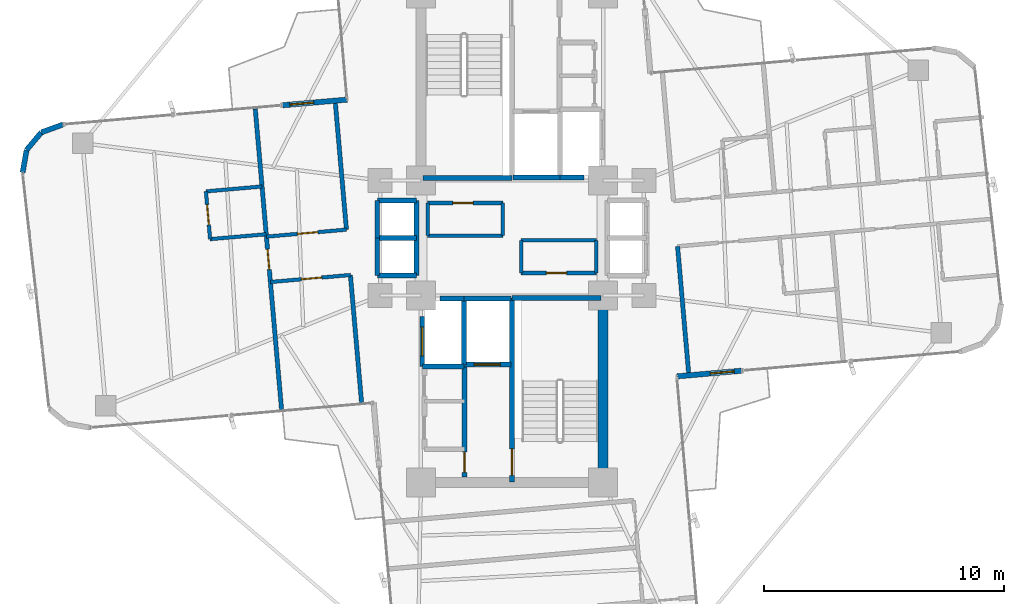
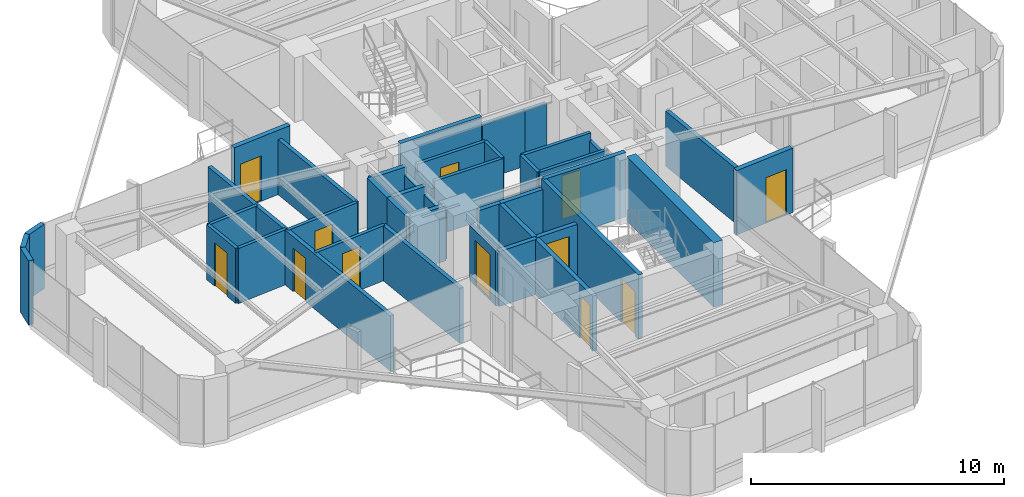
# One storey, part 21 of 24: 41 walls, 12 doors, 12 openings.
"""IFC4 building model written with IfcOpenShell, lengths in metres."""

from ifc_helpers import new_model, si_unit, direction, frame, frame_2d, origin, origin_2d, place, context, subcontext, project, spatial, rectangle, extrude, source, transform, mapped, material, layer, layer_set, type_object, element, fill, save


model = new_model("IFC4")

# Units and contexts
model_context = context("Model", 3, precision=1e-05, world=origin(), true_north=direction((0.0, 1.0)))
body_context = subcontext(model_context, "Body", "Model", "MODEL_VIEW")
ifc_project = project(units=[si_unit("LENGTHUNIT", "METRE"), si_unit("AREAUNIT", "SQUARE_METRE"), si_unit("VOLUMEUNIT", "CUBIC_METRE"), si_unit("PLANEANGLEUNIT", "RADIAN"), si_unit("MASSUNIT", "GRAM", prefix="KILO")], contexts=[model_context])

# Site, building, storey
site_placement = place(None, origin())
site = spatial("IfcSite", under=ifc_project, at=site_placement, CompositionType="ELEMENT")
building_placement = place(site_placement, origin())
building = spatial("IfcBuilding", under=site, at=building_placement, Name="Sahyath Konkavel Grand Hotel", CompositionType="ELEMENT")
storey_placement = place(building_placement, frame((0.0, 0.0, 191.949951171875)))
storey = spatial("IfcBuildingStorey", under=building, at=storey_placement, Name="L53", CompositionType="ELEMENT", Elevation=191.949951171875)

# Wall
ifc_material_1 = material(Name="Concrete C50/60", Category="concrete")
ifc_layer_1 = layer(ifc_material_1, 0.419921875)
ifc_layer_set_1 = layer_set([ifc_layer_1], Name="Concrete C50/60")
wall_type_1 = type_object("IfcWallType", Name="CWALL-420", PredefinedType="SHEAR", material=ifc_layer_set_1)
wall_1_placement = place(storey_placement, frame((3.800048828125, -9.75, 0.0), z_axis=(0.0, 0.0, 1.0), x_axis=(0.0, 1.0, 0.0)))
element("IfcWall", 1, at=wall_1_placement, inside=storey, type_object=wall_type_1, Name="L53 South Core Shear Wall E", PredefinedType="SHEAR", context=body_context, shape_type="SweptSolid", body=[
    extrude(rectangle(XDim=6.89990234375, YDim=0.419921875, at=frame_2d((3.449951171875, 0.0))), origin(), (0.0, 0.0, 1.0), 3.110107421875),
])

# Wall, opening, door
ifc_material_2 = material(Name="Warm Buff Sandstone Insulated Concrete C40/50", Category="masonry")
ifc_layer_2 = layer(ifc_material_2, 0.219970703125)
ifc_layer_set_2 = layer_set([ifc_layer_2], Name="Warm Buff Sandstone Insulated Concrete C40/50")
wall_type_2 = type_object("IfcWallType", Name="WLL-BALC-THRESH", PredefinedType="STANDARD", material=ifc_layer_set_2)
wall_2_placement = place(storey_placement, frame((6.87939453125, -5.7724609375, 0.0), z_axis=(0.0, 0.0, 1.0), x_axis=(0.996193619346, 0.087168071984, 0.0)))
wall_2 = element("IfcWall", 2, at=wall_2_placement, inside=storey, type_object=wall_type_2, Name="L53 Winter-Garden Threshold Wall 0", PredefinedType="STANDARD", context=body_context, shape_type="SweptSolid", body=[
    extrude(rectangle(XDim=2.699951171875, YDim=0.219970703125, at=frame_2d((1.35009765625, 0.0))), origin(), (0.0, 0.0, 1.0), 3.110107421875),
])
opening_1_placement = place(wall_2_placement, frame((1.39990234375, 0.0, 0.0)))
opening_1 = element("IfcOpeningElement", 3, at=opening_1_placement, cuts=wall_2, Name="Opening D-TR1", PredefinedType="OPENING", context=body_context, shape_type="SweptSolid", body=[
    extrude(rectangle(XDim=1.0, YDim=2.199951171875, at=frame_2d((0.5, 1.10009765625))), frame((0.0, 0.1201171875, 0.0), z_axis=(0.0, -1.0, 0.0), x_axis=(1.0, 0.0, 0.0)), (0.0, 0.0, 1.0), 0.239990234375),
])
ifc_material_3 = material(Name="Anodised Bronze Aluminium & Low-E Glazing", Category="aluminium")
door_type_1 = type_object("IfcDoorType", Name="DR-TERRACE-1000", OperationType="NOTDEFINED", PredefinedType="DOOR", material=ifc_material_3)
shared_shape_1 = source(origin(), body_context, "Body", "SweptSolid", [
    extrude(rectangle(XDim=1.0, YDim=0.050048828125, at=origin_2d()), origin(), (0.0, 0.0, 1.0), 2.199951171875),
])
door_1_placement = place(opening_1_placement, frame((0.5, 0.0, 0.0)))
door_1 = element("IfcDoor", 4, at=door_1_placement, inside=storey, type_object=door_type_1, Name="L53 Winter-Garden Terrace Door 0", OperationType="SINGLE_SWING_LEFT", OverallHeight=2.199951171875, OverallWidth=1.0, PredefinedType="DOOR", context=body_context, shape_type="MappedRepresentation", body=[
    mapped(shared_shape_1, transform((0.0, 0.0, 0.0), scale=1.0)),
])
fill(opening_1, door_1)

wall_3_placement = place(storey_placement, frame((-6.87939453125, 5.7724609375, 0.0), z_axis=(0.0, 0.0, 1.0), x_axis=(-0.996193619346, -0.087168071984, 0.0)))
wall_3 = element("IfcWall", 5, at=wall_3_placement, inside=storey, type_object=wall_type_2, Name="L53 Winter-Garden Threshold Wall 16", PredefinedType="STANDARD", context=body_context, shape_type="SweptSolid", body=[
    extrude(rectangle(XDim=2.699951171875, YDim=0.219970703125, at=frame_2d((1.35009765625, 0.0))), origin(), (0.0, 0.0, 1.0), 3.110107421875),
])
opening_2_placement = place(wall_3_placement, frame((1.39990234375, 0.0, 0.0)))
opening_2 = element("IfcOpeningElement", 6, at=opening_2_placement, cuts=wall_3, Name="Opening D-TR1", PredefinedType="OPENING", context=body_context, shape_type="SweptSolid", body=[
    extrude(rectangle(XDim=1.0, YDim=2.199951171875, at=frame_2d((0.5, 1.10009765625))), frame((0.0, 0.1201171875, 0.0), z_axis=(0.0, -1.0, 0.0), x_axis=(1.0, 0.0, 0.0)), (0.0, 0.0, 1.0), 0.239990234375),
])
door_2_placement = place(opening_2_placement, frame((0.5, 0.0, 0.0)))
door_2 = element("IfcDoor", 7, at=door_2_placement, inside=storey, type_object=door_type_1, Name="L53 Winter-Garden Terrace Door 16", OperationType="SINGLE_SWING_LEFT", OverallHeight=2.199951171875, OverallWidth=1.0, PredefinedType="DOOR", context=body_context, shape_type="MappedRepresentation", body=[
    mapped(shared_shape_1, transform((0.0, 0.0, 0.0), scale=1.0)),
])
fill(opening_2, door_2)

# Walls
wall_4_placement = place(storey_placement, frame((-18.73388671875, 4.735107421875, 0.0), z_axis=(0.0, 0.0, 1.0), x_axis=(-0.939741306239, -0.34188635151, 0.0)))
element("IfcWall", 8, at=wall_4_placement, inside=storey, type_object=wall_type_2, Name="L53 Rounded Corner Sandstone Pier 17", PredefinedType="STANDARD", context=body_context, shape_type="SweptSolid", body=[
    extrude(rectangle(XDim=0.95751953125, YDim=0.219970703125, at=frame_2d((0.478759765625, 0.0))), origin(), (0.0, 0.0, 1.0), 3.110107421875),
])
for number, where, z_axis, x_axis, name in (
    (9, (-19.6337890625, 4.40771484375, 0.0), (0.0, 0.0, 1.0), (-0.642863236823, -0.765980978054, 0.0), "L53 Rounded Corner Sandstone Pier 18"),
    (10, (-20.24951171875, 3.674072265625, 0.0), (0.0, 0.0, 1.0), (-0.173610811841, -0.984814340885, 0.0), "L53 Rounded Corner Sandstone Pier 19"),
):
    element("IfcWall", number, at=place(storey_placement, frame(where, z_axis=z_axis, x_axis=x_axis)), inside=storey, type_object=wall_type_2, Name=name, PredefinedType="STANDARD", context=body_context, shape_type="SweptSolid", body=[
        extrude(rectangle(XDim=0.957763671875, YDim=0.219970703125, at=frame_2d((0.47900390625, 0.0))), origin(), (0.0, 0.0, 1.0), 3.110107421875),
    ])
ifc_material_4 = material(Name="Concrete C40/50", Category="concrete")
ifc_layer_3 = layer(ifc_material_4, 0.199951171875)
ifc_layer_set_3 = layer_set([ifc_layer_3], Name="Concrete C40/50")
wall_type_3 = type_object("IfcWallType", Name="WLL-CORE-200", PredefinedType="SOLIDWALL", material=ifc_layer_set_3)
wall_5_placement = place(storey_placement, frame((-3.719970703125, 2.5, 0.0), z_axis=(0.0, 0.0, 1.0), x_axis=(1.0, 0.0, 0.0)))
element("IfcWall", 11, at=wall_5_placement, inside=storey, type_object=wall_type_3, Name="L53 Stair ST-1 Shaft Wall S", PredefinedType="SOLIDWALL", context=body_context, shape_type="SweptSolid", body=[
    extrude(rectangle(XDim=3.719970703125, YDim=0.199951171875, at=frame_2d((1.85986328125, 0.0))), origin(), (0.0, 0.0, 1.0), 3.110107421875),
])

# Wall, opening, door
wall_6_placement = place(storey_placement, frame((0.0, -10.179931640625, 0.0), z_axis=(0.0, 0.0, 1.0), x_axis=(0.0, 1.0, 0.0)))
wall_6 = element("IfcWall", 12, at=wall_6_placement, inside=storey, type_object=wall_type_3, Name="L53 Stair ST-2 Shaft Wall W", PredefinedType="SOLIDWALL", context=body_context, shape_type="SweptSolid", body=[
    extrude(rectangle(XDim=7.679931640625, YDim=0.199951171875, at=frame_2d((3.83984375, 0.0))), origin(), (0.0, 0.0, 1.0), 3.110107421875),
])
opening_3_placement = place(wall_6_placement, frame((0.280029296875, 0.0, 0.0)))
opening_3 = element("IfcOpeningElement", 13, at=opening_3_placement, cuts=wall_6, Name="Opening D-F12B", PredefinedType="OPENING", context=body_context, shape_type="SweptSolid", body=[
    extrude(rectangle(XDim=1.10009765625, YDim=2.14990234375, at=frame_2d((0.550048828125, 1.074951171875))), frame((0.0, 0.10986328125, 0.0), z_axis=(0.0, -1.0, 0.0), x_axis=(1.0, 0.0, 0.0)), (0.0, 0.0, 1.0), 0.219970703125),
])
ifc_material_5 = material(Name="Steel E350 Smokeproof Fire Door", Category="steel")
door_type_2 = type_object("IfcDoorType", Name="DR-FD120-1100", OperationType="NOTDEFINED", PredefinedType="DOOR", material=ifc_material_5)
shared_shape_2 = source(origin(), body_context, "Body", "SweptSolid", [
    extrude(rectangle(XDim=1.10009765625, YDim=0.050048828125, at=origin_2d()), origin(), (0.0, 0.0, 1.0), 2.14990234375),
])
door_3_placement = place(opening_3_placement, frame((0.550048828125, 0.0, 0.0)))
door_3 = element("IfcDoor", 14, at=door_3_placement, inside=storey, type_object=door_type_2, Name="L53 Stair ST-2 Fire Door", OperationType="SINGLE_SWING_RIGHT", OverallHeight=2.14990234375, OverallWidth=1.10009765625, PredefinedType="DOOR", context=body_context, shape_type="MappedRepresentation", body=[
    mapped(shared_shape_2, transform((0.0, 0.0, 0.0), scale=1.0)),
])
fill(opening_3, door_3)

# Wall
wall_7_placement = place(storey_placement, frame((0.0, -2.5, 0.0), z_axis=(0.0, 0.0, 1.0), x_axis=(1.0, 0.0, 0.0)))
element("IfcWall", 15, at=wall_7_placement, inside=storey, type_object=wall_type_3, Name="L53 Stair ST-2 Shaft Wall N", PredefinedType="SOLIDWALL", context=body_context, shape_type="SweptSolid", body=[
    extrude(rectangle(XDim=3.719970703125, YDim=0.199951171875, at=frame_2d((1.85986328125, 0.0))), origin(), (0.0, 0.0, 1.0), 3.110107421875),
])

# Wall, opening, door
wall_8_placement = place(storey_placement, frame((-1.97998046875, -9.97998046875, 0.0), z_axis=(0.0, 0.0, 1.0), x_axis=(0.0, 1.0, 0.0)))
wall_8 = element("IfcWall", 16, at=wall_8_placement, inside=storey, type_object=wall_type_3, Name="L53 South Firefighting Lobby Wall W", PredefinedType="SOLIDWALL", context=body_context, shape_type="SweptSolid", body=[
    extrude(rectangle(XDim=4.659912109375, YDim=0.199951171875, at=frame_2d((2.330078125, 0.0))), origin(), (0.0, 0.0, 1.0), 2.66015625),
])
opening_4_placement = place(wall_8_placement, frame((0.199951171875, 0.0, 0.0)))
opening_4 = element("IfcOpeningElement", 17, at=opening_4_placement, cuts=wall_8, Name="Opening D-F12D", PredefinedType="OPENING", context=body_context, shape_type="SweptSolid", body=[
    extrude(rectangle(XDim=0.85009765625, YDim=2.10009765625, at=frame_2d((0.425048828125, 1.050048828125))), frame((0.0, 0.10986328125, 0.0), z_axis=(0.0, -1.0, 0.0), x_axis=(1.0, 0.0, 0.0)), (0.0, 0.0, 1.0), 0.219970703125),
])
ifc_material_6 = material(Name="Steel E350 Core Fire Door", Category="steel")
door_type_3 = type_object("IfcDoorType", Name="DR-FD120-850", OperationType="NOTDEFINED", PredefinedType="DOOR", material=ifc_material_6)
shared_shape_3 = source(origin(), body_context, "Body", "SweptSolid", [
    extrude(rectangle(XDim=0.85009765625, YDim=0.050048828125, at=origin_2d()), origin(), (0.0, 0.0, 1.0), 2.10009765625),
])
door_4_placement = place(opening_4_placement, frame((0.425048828125, 0.0, 0.0)))
door_4 = element("IfcDoor", 18, at=door_4_placement, inside=storey, type_object=door_type_3, Name="L53 South Firefighting Lobby Door", OperationType="SINGLE_SWING_RIGHT", OverallHeight=2.10009765625, OverallWidth=0.85009765625, PredefinedType="DOOR", context=body_context, shape_type="MappedRepresentation", body=[
    mapped(shared_shape_3, transform((0.0, 0.0, 0.0), scale=1.0)),
])
fill(opening_4, door_4)

# Walls
wall_9_placement = place(storey_placement, frame((0.050048828125, 2.52001953125, 0.0), z_axis=(0.0, 0.0, 1.0), x_axis=(1.0, 0.0, 0.0)))
element("IfcWall", 19, at=wall_9_placement, inside=storey, type_object=wall_type_3, Name="L53 Partition SH-FFL1-S", PredefinedType="SOLIDWALL", context=body_context, shape_type="SweptSolid", body=[
    extrude(rectangle(XDim=1.949951171875, YDim=0.199951171875, at=frame_2d((0.97509765625, 0.0))), origin(), (0.0, 0.0, 1.0), 2.66015625),
])
wall_10_placement = place(storey_placement, frame((-2.0, -5.280029296875, 0.0), z_axis=(0.0, 0.0, 1.0), x_axis=(0.0, 1.0, 0.0)))
element("IfcWall", 20, at=wall_10_placement, inside=storey, type_object=wall_type_3, Name="L53 Partition SH-FFL2-W", PredefinedType="SOLIDWALL", context=body_context, shape_type="SweptSolid", body=[
    extrude(rectangle(XDim=2.780029296875, YDim=0.199951171875, at=frame_2d((1.39013671875, 0.0))), origin(), (0.0, 0.0, 1.0), 2.66015625),
])
wall_11_placement = place(storey_placement, frame((-2.0, -2.52001953125, 0.0), z_axis=(0.0, 0.0, 1.0), x_axis=(1.0, 0.0, 0.0)))
element("IfcWall", 21, at=wall_11_placement, inside=storey, type_object=wall_type_3, Name="L53 Partition SH-FFL2-N", PredefinedType="SOLIDWALL", context=body_context, shape_type="SweptSolid", body=[
    extrude(rectangle(XDim=1.949951171875, YDim=0.199951171875, at=frame_2d((0.97509765625, 0.0))), origin(), (0.0, 0.0, 1.0), 2.66015625),
])

# Wall, opening, door
wall_12_placement = place(storey_placement, frame((-1.97998046875, -5.280029296875, 0.0), z_axis=(0.0, 0.0, 1.0), x_axis=(1.0, 0.0, 0.0)))
wall_12 = element("IfcWall", 22, at=wall_12_placement, inside=storey, type_object=wall_type_3, Name="L53 Partition SH-FFL2-S", PredefinedType="SOLIDWALL", context=body_context, shape_type="SweptSolid", body=[
    extrude(rectangle(XDim=1.929931640625, YDim=0.199951171875, at=frame_2d((0.96484375, 0.0))), origin(), (0.0, 0.0, 1.0), 2.66015625),
])
opening_5_placement = place(wall_12_placement, frame((0.39990234375, 0.0, 0.0)))
opening_5 = element("IfcOpeningElement", 23, at=opening_5_placement, cuts=wall_12, Name="Opening LD-11", PredefinedType="OPENING", context=body_context, shape_type="SweptSolid", body=[
    extrude(rectangle(XDim=1.10009765625, YDim=2.199951171875, at=frame_2d((0.550048828125, 1.10009765625))), frame((0.0, 0.10986328125, 0.0), z_axis=(0.0, -1.0, 0.0), x_axis=(1.0, 0.0, 0.0)), (0.0, 0.0, 1.0), 0.219970703125),
])
ifc_material_7 = material(Name="Bronze Lift Landing Door 1100")
door_type_4 = type_object("IfcDoorType", Name="DR-LIFT-1100", OperationType="DOUBLE_DOOR_SLIDING", PredefinedType="DOOR", material=ifc_material_7)
shared_shape_4 = source(origin(), body_context, "Body", "SweptSolid", [
    extrude(rectangle(XDim=1.10009765625, YDim=0.050048828125, at=origin_2d()), origin(), (0.0, 0.0, 1.0), 2.199951171875),
])
door_5_placement = place(opening_5_placement, frame((0.550048828125, 0.0, 0.0)))
door_5 = element("IfcDoor", 24, at=door_5_placement, inside=storey, type_object=door_type_4, Name="L53 Lift FFL-2 Landing Door", OperationType="DOUBLE_DOOR_SLIDING", OverallHeight=2.199951171875, OverallWidth=1.10009765625, PredefinedType="DOOR", context=body_context, shape_type="MappedRepresentation", body=[
    mapped(shared_shape_4, transform((0.0, 0.0, 0.0), scale=1.0)),
])
fill(opening_5, door_5)

# Walls
for number, where, z_axis, x_axis, name in (
    (25, (2.0, 2.52001953125, 0.0), (0.0, 0.0, 1.0), (1.0, 0.0, 0.0), "L53 Partition SH-SVL1-S"),
    (26, (-3.0, -2.52001953125, 0.0), (0.0, 0.0, 1.0), (1.0, 0.0, 0.0), "L53 Partition SH-SVL2-N"),
):
    element("IfcWall", number, at=place(storey_placement, frame(where, z_axis=z_axis, x_axis=x_axis)), inside=storey, type_object=wall_type_3, Name=name, PredefinedType="SOLIDWALL", context=body_context, shape_type="SweptSolid", body=[
        extrude(rectangle(XDim=1.0, YDim=0.199951171875, at=frame_2d((0.5, 0.0))), origin(), (0.0, 0.0, 1.0), 2.66015625),
    ])
wall_13_placement = place(storey_placement, frame((-3.739990234375, -5.360107421875, 0.0), z_axis=(0.0, 0.0, 1.0), x_axis=(1.0, 0.0, 0.0)))
element("IfcWall", 27, at=wall_13_placement, inside=storey, type_object=wall_type_3, Name="L53 Partition SH-SVL2-S", PredefinedType="SOLIDWALL", context=body_context, shape_type="SweptSolid", body=[
    extrude(rectangle(XDim=1.739990234375, YDim=0.199951171875, at=frame_2d((0.8701171875, 0.0))), origin(), (0.0, 0.0, 1.0), 2.66015625),
])

# Wall, opening, door
wall_14_placement = place(storey_placement, frame((-3.739990234375, -5.360107421875, 0.0), z_axis=(0.0, 0.0, 1.0), x_axis=(0.0, 1.0, 0.0)))
wall_14 = element("IfcWall", 28, at=wall_14_placement, inside=storey, type_object=wall_type_3, Name="L53 Partition SH-SVL2-W", PredefinedType="SOLIDWALL", context=body_context, shape_type="SweptSolid", body=[
    extrude(rectangle(XDim=2.080078125, YDim=0.199951171875, at=frame_2d((1.0400390625, 0.0))), origin(), (0.0, 0.0, 1.0), 2.66015625),
])
opening_6_placement = place(wall_14_placement, frame((0.43994140625, 0.0, 0.0)))
opening_6 = element("IfcOpeningElement", 29, at=opening_6_placement, cuts=wall_14, Name="Opening LD-12", PredefinedType="OPENING", context=body_context, shape_type="SweptSolid", body=[
    extrude(rectangle(XDim=1.199951171875, YDim=2.199951171875, at=frame_2d((0.60009765625, 1.10009765625))), frame((0.0, 0.10986328125, 0.0), z_axis=(0.0, -1.0, 0.0), x_axis=(1.0, 0.0, 0.0)), (0.0, 0.0, 1.0), 0.219970703125),
])
ifc_material_8 = material(Name="Stainless Steel Lift Landing Door 1200", Category="steel")
door_type_5 = type_object("IfcDoorType", Name="DR-LIFT-1200", OperationType="DOUBLE_DOOR_SLIDING", PredefinedType="DOOR", material=ifc_material_8)
shared_shape_5 = source(origin(), body_context, "Body", "SweptSolid", [
    extrude(rectangle(XDim=1.199951171875, YDim=0.050048828125, at=origin_2d()), origin(), (0.0, 0.0, 1.0), 2.199951171875),
])
door_6_placement = place(opening_6_placement, frame((0.60009765625, 0.0, 0.0)))
door_6 = element("IfcDoor", 30, at=door_6_placement, inside=storey, type_object=door_type_5, Name="L53 Service Lift SVL-2 Landing Door", OperationType="DOUBLE_DOOR_SLIDING", OverallHeight=2.199951171875, OverallWidth=1.199951171875, PredefinedType="DOOR", context=body_context, shape_type="MappedRepresentation", body=[
    mapped(shared_shape_5, transform((0.0, 0.0, 0.0), scale=1.0)),
])
fill(opening_6, door_6)

# Walls
wall_15_placement = place(storey_placement, frame((-3.97998046875, -1.56005859375, 0.0), z_axis=(0.0, 0.0, 1.0), x_axis=(0.0, 1.0, 0.0)))
element("IfcWall", 31, at=wall_15_placement, inside=storey, type_object=wall_type_3, Name="L53 Partition SH-SL12-E", PredefinedType="SOLIDWALL", context=body_context, shape_type="SweptSolid", body=[
    extrude(rectangle(XDim=3.1201171875, YDim=0.199951171875, at=frame_2d((1.56005859375, 0.0))), origin(), (0.0, 0.0, 1.0), 2.280029296875),
])
for number, where, z_axis, x_axis, name in (
    (32, (-5.6201171875, 1.56005859375, 0.0), (0.0, 0.0, 1.0), (1.0, 0.0, 0.0), "L53 Partition SH-SL12-N"),
    (33, (-5.6201171875, -1.56005859375, 0.0), (0.0, 0.0, 1.0), (1.0, 0.0, 0.0), "L53 Partition SH-SL12-S"),
    (34, (-5.6201171875, 0.0, 0.0), (0.0, 0.0, 1.0), (1.0, 0.0, 0.0), "L53 Partition SH-SL12-M"),
):
    element("IfcWall", number, at=place(storey_placement, frame(where, z_axis=z_axis, x_axis=x_axis)), inside=storey, type_object=wall_type_3, Name=name, PredefinedType="SOLIDWALL", context=body_context, shape_type="SweptSolid", body=[
        extrude(rectangle(XDim=1.64013671875, YDim=0.199951171875, at=frame_2d((0.820068359375, 0.0))), origin(), (0.0, 0.0, 1.0), 2.66015625),
    ])
for number, where, z_axis, x_axis, name in (
    (35, (-5.6201171875, 0.0, 0.0), (0.0, 0.0, 1.0), (0.0, 1.0, 0.0), "L53 Partition SH-SL1-W"),
    (36, (-5.6201171875, -1.56005859375, 0.0), (0.0, 0.0, 1.0), (0.0, 1.0, 0.0), "L53 Partition SH-SL2-W"),
):
    element("IfcWall", number, at=place(storey_placement, frame(where, z_axis=z_axis, x_axis=x_axis)), inside=storey, type_object=wall_type_3, Name=name, PredefinedType="SOLIDWALL", context=body_context, shape_type="SweptSolid", body=[
        extrude(rectangle(XDim=1.56005859375, YDim=0.199951171875, at=frame_2d((0.780029296875, 0.0))), origin(), (0.0, 0.0, 1.0), 2.66015625),
    ])
ifc_material_9 = material(Name="Twin-Stud Acoustic Gypsum Plasterboard Partition")
ifc_layer_4 = layer(ifc_material_9, 0.179931640625)
ifc_layer_set_4 = layer_set([ifc_layer_4], Name="Twin-Stud Acoustic Gypsum Plasterboard Partition")
wall_type_4 = type_object("IfcWallType", Name="WLL-DEMISE-180", PredefinedType="PARTITIONING", material=ifc_layer_set_4)
for number, where, z_axis, x_axis, name in (
    (37, (7.373046875, -5.678955078125, 0.0), (0.0, 0.0, 1.0), (-0.087161289348, 0.996194212812, 0.0), "L53 Partition E-INR"),
    (38, (-6.7412109375, -1.54345703125, 0.0), (0.0, 0.0, 1.0), (0.087161289348, -0.996194212812, 0.0), "L53 Partition W-INL"),
    (39, (-7.373046875, 5.678955078125, 0.0), (0.0, 0.0, 1.0), (0.087161289348, -0.996194212812, 0.0), "L53 Partition W-INR"),
):
    element("IfcWall", number, at=place(storey_placement, frame(where, z_axis=z_axis, x_axis=x_axis)), inside=storey, type_object=wall_type_4, Name=name, PredefinedType="PARTITIONING", context=body_context, shape_type="SweptSolid", body=[
        extrude(rectangle(XDim=5.349853515625, YDim=0.179931640625, at=frame_2d((2.6748046875, 0.0))), origin(), (0.0, 0.0, 1.0), 2.66015625),
    ])

# Wall, opening, door
wall_16_placement = place(storey_placement, frame((-10.710205078125, 5.386962890625, 0.0), z_axis=(0.0, 0.0, 1.0), x_axis=(0.087154691724, -0.996194790044, 0.0)))
wall_16 = element("IfcWall", 40, at=wall_16_placement, inside=storey, type_object=wall_type_4, Name="L53 Partition W-WTIP-END", PredefinedType="PARTITIONING", context=body_context, shape_type="SweptSolid", body=[
    extrude(rectangle(XDim=12.599853515625, YDim=0.179931640625, at=frame_2d((6.2998046875, 0.0))), origin(), (0.0, 0.0, 1.0), 2.66015625),
])
opening_7_placement = place(wall_16_placement, frame((5.875, 0.0, 0.0)))
opening_7 = element("IfcOpeningElement", 41, at=opening_7_placement, cuts=wall_16, Name="Opening D-F06D", PredefinedType="OPENING", context=body_context, shape_type="SweptSolid", body=[
    extrude(rectangle(XDim=0.85009765625, YDim=2.10009765625, at=frame_2d((0.425048828125, 1.050048828125))), frame((0.0, 0.10009765625, 0.0), z_axis=(0.0, -1.0, 0.0), x_axis=(1.0, 0.0, 0.0)), (0.0, 0.0, 1.0), 0.199951171875),
])
ifc_material_10 = material(Name="Fire-Rated Shaft Access Door")
door_type_6 = type_object("IfcDoorType", Name="DR-FD60-850", OperationType="NOTDEFINED", PredefinedType="DOOR", material=ifc_material_10)
door_7_placement = place(opening_7_placement, frame((0.425048828125, 0.0, 0.0)))
door_7 = element("IfcDoor", 42, at=door_7_placement, inside=storey, type_object=door_type_6, Name="L53 Door W-WTIP-ED", OperationType="SINGLE_SWING_RIGHT", OverallHeight=2.10009765625, OverallWidth=0.85009765625, PredefinedType="DOOR", context=body_context, shape_type="MappedRepresentation", body=[
    mapped(shared_shape_3, transform((0.0, 0.0, 0.0), scale=1.0)),
])
fill(opening_7, door_7)

# Wall
ifc_material_11 = material(Name="Fire-Rated Gypsum Plasterboard Partition")
ifc_layer_5 = layer(ifc_material_11, 0.14990234375)
ifc_layer_set_5 = layer_set([ifc_layer_5], Name="Fire-Rated Gypsum Plasterboard Partition")
wall_type_5 = type_object("IfcWallType", Name="WLL-PART-150", PredefinedType="PARTITIONING", material=ifc_layer_set_5)
wall_17_placement = place(storey_placement, frame((-3.52001953125, 0.10009765625, 0.0), z_axis=(0.0, 0.0, 1.0), x_axis=(1.0, 0.0, 0.0)))
element("IfcWall", 43, at=wall_17_placement, inside=storey, type_object=wall_type_5, Name="L53 Partition CC-3NWS", PredefinedType="PARTITIONING", context=body_context, shape_type="SweptSolid", body=[
    extrude(rectangle(XDim=3.14013671875, YDim=0.14990234375, at=frame_2d((1.570068359375, 0.0))), origin(), (0.0, 0.0, 1.0), 2.66015625),
])

# Wall, opening, door
wall_18_placement = place(storey_placement, frame((-3.52001953125, 1.4599609375, 0.0), z_axis=(0.0, 0.0, 1.0), x_axis=(1.0, 0.0, 0.0)))
wall_18 = element("IfcWall", 44, at=wall_18_placement, inside=storey, type_object=wall_type_5, Name="L53 Partition CC-3NWN", PredefinedType="PARTITIONING", context=body_context, shape_type="SweptSolid", body=[
    extrude(rectangle(XDim=3.14013671875, YDim=0.14990234375, at=frame_2d((1.570068359375, 0.0))), origin(), (0.0, 0.0, 1.0), 2.66015625),
])
opening_8_placement = place(wall_18_placement, frame((1.050048828125, 0.0, 0.0)))
opening_8 = element("IfcOpeningElement", 45, at=opening_8_placement, cuts=wall_18, Name="Opening D-F06D", PredefinedType="OPENING", context=body_context, shape_type="SweptSolid", body=[
    extrude(rectangle(XDim=0.85009765625, YDim=2.10009765625, at=frame_2d((0.425048828125, 1.050048828125))), frame((0.0, 0.0849609375, 0.0), z_axis=(0.0, -1.0, 0.0), x_axis=(1.0, 0.0, 0.0)), (0.0, 0.0, 1.0), 0.169921875),
])
door_8_placement = place(opening_8_placement, frame((0.425048828125, 0.0, 0.0)))
door_8 = element("IfcDoor", 46, at=door_8_placement, inside=storey, type_object=door_type_6, Name="L53 Door CC-D3NW", OperationType="SINGLE_SWING_LEFT", OverallHeight=2.10009765625, OverallWidth=0.85009765625, PredefinedType="DOOR", context=body_context, shape_type="MappedRepresentation", body=[
    mapped(shared_shape_3, transform((0.0, 0.0, 0.0), scale=1.0)),
])
fill(opening_8, door_8)

# Walls
wall_19_placement = place(storey_placement, frame((-3.52001953125, 0.10009765625, 0.0), z_axis=(0.0, 0.0, 1.0), x_axis=(0.0, 1.0, 0.0)))
element("IfcWall", 47, at=wall_19_placement, inside=storey, type_object=wall_type_5, Name="L53 Partition CC-3NWW", PredefinedType="PARTITIONING", context=body_context, shape_type="SweptSolid", body=[
    extrude(rectangle(XDim=1.35986328125, YDim=0.14990234375, at=frame_2d((0.679931640625, 0.0))), origin(), (0.0, 0.0, 1.0), 2.280029296875),
])
wall_20_placement = place(storey_placement, frame((-0.3798828125, 0.10009765625, 0.0), z_axis=(0.0, 0.0, 1.0), x_axis=(0.0, 1.0, 0.0)))
element("IfcWall", 48, at=wall_20_placement, inside=storey, type_object=wall_type_5, Name="L53 Partition CC-3NWE", PredefinedType="PARTITIONING", context=body_context, shape_type="SweptSolid", body=[
    extrude(rectangle(XDim=1.35986328125, YDim=0.14990234375, at=frame_2d((0.679931640625, 0.0))), origin(), (0.0, 0.0, 1.0), 2.66015625),
])
wall_21_placement = place(storey_placement, frame((0.3798828125, -0.10009765625, 0.0), z_axis=(0.0, 0.0, 1.0), x_axis=(1.0, 0.0, 0.0)))
element("IfcWall", 49, at=wall_21_placement, inside=storey, type_object=wall_type_5, Name="L53 Partition CC-3SEN", PredefinedType="PARTITIONING", context=body_context, shape_type="SweptSolid", body=[
    extrude(rectangle(XDim=3.14013671875, YDim=0.14990234375, at=frame_2d((1.570068359375, 0.0))), origin(), (0.0, 0.0, 1.0), 2.66015625),
])

# Wall, opening, door
wall_22_placement = place(storey_placement, frame((0.3798828125, -1.4599609375, 0.0), z_axis=(0.0, 0.0, 1.0), x_axis=(1.0, 0.0, 0.0)))
wall_22 = element("IfcWall", 50, at=wall_22_placement, inside=storey, type_object=wall_type_5, Name="L53 Partition CC-3SES", PredefinedType="PARTITIONING", context=body_context, shape_type="SweptSolid", body=[
    extrude(rectangle(XDim=3.14013671875, YDim=0.14990234375, at=frame_2d((1.570068359375, 0.0))), origin(), (0.0, 0.0, 1.0), 2.66015625),
])
opening_9_placement = place(wall_22_placement, frame((1.050048828125, 0.0, 0.0)))
opening_9 = element("IfcOpeningElement", 51, at=opening_9_placement, cuts=wall_22, Name="Opening D-F06D", PredefinedType="OPENING", context=body_context, shape_type="SweptSolid", body=[
    extrude(rectangle(XDim=0.85009765625, YDim=2.10009765625, at=frame_2d((0.425048828125, 1.050048828125))), frame((0.0, 0.0849609375, 0.0), z_axis=(0.0, -1.0, 0.0), x_axis=(1.0, 0.0, 0.0)), (0.0, 0.0, 1.0), 0.169921875),
])
door_9_placement = place(opening_9_placement, frame((0.425048828125, 0.0, 0.0)))
door_9 = element("IfcDoor", 52, at=door_9_placement, inside=storey, type_object=door_type_6, Name="L53 Door CC-D3SE", OperationType="SINGLE_SWING_RIGHT", OverallHeight=2.10009765625, OverallWidth=0.85009765625, PredefinedType="DOOR", context=body_context, shape_type="MappedRepresentation", body=[
    mapped(shared_shape_3, transform((0.0, 0.0, 0.0), scale=1.0)),
])
fill(opening_9, door_9)

# Walls
wall_23_placement = place(storey_placement, frame((0.3798828125, -1.4599609375, 0.0), z_axis=(0.0, 0.0, 1.0), x_axis=(0.0, 1.0, 0.0)))
element("IfcWall", 53, at=wall_23_placement, inside=storey, type_object=wall_type_5, Name="L53 Partition CC-3SEW", PredefinedType="PARTITIONING", context=body_context, shape_type="SweptSolid", body=[
    extrude(rectangle(XDim=1.35986328125, YDim=0.14990234375, at=frame_2d((0.679931640625, 0.0))), origin(), (0.0, 0.0, 1.0), 2.66015625),
])
wall_24_placement = place(storey_placement, frame((3.52001953125, -1.4599609375, 0.0), z_axis=(0.0, 0.0, 1.0), x_axis=(0.0, 1.0, 0.0)))
element("IfcWall", 54, at=wall_24_placement, inside=storey, type_object=wall_type_5, Name="L53 Partition CC-3SEE", PredefinedType="PARTITIONING", context=body_context, shape_type="SweptSolid", body=[
    extrude(rectangle(XDim=1.35986328125, YDim=0.14990234375, at=frame_2d((0.679931640625, 0.0))), origin(), (0.0, 0.0, 1.0), 2.280029296875),
])

# Wall, opening, door
wall_25_placement = place(storey_placement, frame((-6.7412109375, -1.54345703125, 0.0), z_axis=(0.0, 0.0, 1.0), x_axis=(-0.996193954812, -0.087164238054, 0.0)))
wall_25 = element("IfcWall", 55, at=wall_25_placement, inside=storey, type_object=wall_type_5, Name="L53 Partition W-CL", PredefinedType="PARTITIONING", context=body_context, shape_type="SweptSolid", body=[
    extrude(rectangle(XDim=3.349853515625, YDim=0.14990234375, at=frame_2d((1.6748046875, 0.0))), origin(), (0.0, 0.0, 1.0), 2.66015625),
])
opening_10_placement = place(wall_25_placement, frame((1.199951171875, 0.0, 0.0)))
opening_10 = element("IfcOpeningElement", 56, at=opening_10_placement, cuts=wall_25, Name="Opening D-F06D", PredefinedType="OPENING", context=body_context, shape_type="SweptSolid", body=[
    extrude(rectangle(XDim=0.85009765625, YDim=2.10009765625, at=frame_2d((0.425048828125, 1.050048828125))), frame((0.0, 0.0849609375, 0.0), z_axis=(0.0, -1.0, 0.0), x_axis=(1.0, 0.0, 0.0)), (0.0, 0.0, 1.0), 0.169921875),
])
door_10_placement = place(opening_10_placement, frame((0.425048828125, 0.0, 0.0)))
door_10 = element("IfcDoor", 57, at=door_10_placement, inside=storey, type_object=door_type_6, Name="L53 Door W-WS3L-D", OperationType="SINGLE_SWING_LEFT", OverallHeight=2.10009765625, OverallWidth=0.85009765625, PredefinedType="DOOR", context=body_context, shape_type="MappedRepresentation", body=[
    mapped(shared_shape_3, transform((0.0, 0.0, 0.0), scale=1.0)),
])
fill(opening_10, door_10)

wall_26_placement = place(storey_placement, frame((-6.90673828125, 0.349365234375, 0.0), z_axis=(0.0, 0.0, 1.0), x_axis=(-0.996193954812, -0.087164238054, 0.0)))
wall_26 = element("IfcWall", 58, at=wall_26_placement, inside=storey, type_object=wall_type_5, Name="L53 Partition W-CR", PredefinedType="PARTITIONING", context=body_context, shape_type="SweptSolid", body=[
    extrude(rectangle(XDim=3.349853515625, YDim=0.14990234375, at=frame_2d((1.6748046875, 0.0))), origin(), (0.0, 0.0, 1.0), 2.66015625),
])
opening_11_placement = place(wall_26_placement, frame((1.199951171875, 0.0, 0.0)))
opening_11 = element("IfcOpeningElement", 59, at=opening_11_placement, cuts=wall_26, Name="Opening D-F06D", PredefinedType="OPENING", context=body_context, shape_type="SweptSolid", body=[
    extrude(rectangle(XDim=0.85009765625, YDim=2.10009765625, at=frame_2d((0.425048828125, 1.050048828125))), frame((0.0, 0.0849609375, 0.0), z_axis=(0.0, -1.0, 0.0), x_axis=(1.0, 0.0, 0.0)), (0.0, 0.0, 1.0), 0.169921875),
])
door_11_placement = place(opening_11_placement, frame((0.425048828125, 0.0, 0.0)))
door_11 = element("IfcDoor", 60, at=door_11_placement, inside=storey, type_object=door_type_6, Name="L53 Door W-WS3R-D", OperationType="SINGLE_SWING_RIGHT", OverallHeight=2.10009765625, OverallWidth=0.85009765625, PredefinedType="DOOR", context=body_context, shape_type="MappedRepresentation", body=[
    mapped(shared_shape_3, transform((0.0, 0.0, 0.0), scale=1.0)),
])
fill(opening_11, door_11)

# Walls
for number, where, z_axis, x_axis, name in (
    (61, (-10.252685546875, 0.156982421875, 0.0), (0.0, 0.0, 1.0), (-0.996194055785, -0.087163084034, 0.0), "L53 Partition W-WTIP-BN"),
    (62, (-10.427001953125, 2.1494140625, 0.0), (0.0, 0.0, 1.0), (-0.996194055785, -0.087163084034, 0.0), "L53 Partition W-WTIP-BS"),
):
    element("IfcWall", number, at=place(storey_placement, frame(where, z_axis=z_axis, x_axis=x_axis)), inside=storey, type_object=wall_type_5, Name=name, PredefinedType="PARTITIONING", context=body_context, shape_type="SweptSolid", body=[
        extrude(rectangle(XDim=2.35009765625, YDim=0.14990234375, at=frame_2d((1.175048828125, 0.0))), origin(), (0.0, 0.0, 1.0), 2.66015625),
    ])

# Wall, opening, door
wall_27_placement = place(storey_placement, frame((-12.76806640625, 1.944580078125, 0.0), z_axis=(0.0, 0.0, 1.0), x_axis=(0.087156350505, -0.99619464492, 0.0)))
wall_27 = element("IfcWall", 63, at=wall_27_placement, inside=storey, type_object=wall_type_5, Name="L53 Partition W-WTIP-BE", PredefinedType="PARTITIONING", context=body_context, shape_type="SweptSolid", body=[
    extrude(rectangle(XDim=2.0, YDim=0.14990234375, at=frame_2d((1.0, 0.0))), origin(), (0.0, 0.0, 1.0), 2.66015625),
])
opening_12_placement = place(wall_27_placement, frame((0.550048828125, 0.0, 0.0)))
opening_12 = element("IfcOpeningElement", 64, at=opening_12_placement, cuts=wall_27, Name="Opening D-BT85", PredefinedType="OPENING", context=body_context, shape_type="SweptSolid", body=[
    extrude(rectangle(XDim=0.85009765625, YDim=2.10009765625, at=frame_2d((0.425048828125, 1.050048828125))), frame((0.0, 0.0849609375, 0.0), z_axis=(0.0, -1.0, 0.0), x_axis=(1.0, 0.0, 0.0)), (0.0, 0.0, 1.0), 0.169921875),
])
ifc_material_12 = material(Name="Moisture-Resistant Teak Bathroom Door")
door_type_7 = type_object("IfcDoorType", Name="DR-BATH-850", OperationType="NOTDEFINED", PredefinedType="DOOR", material=ifc_material_12)
door_12_placement = place(opening_12_placement, frame((0.425048828125, 0.0, 0.0)))
door_12 = element("IfcDoor", 65, at=door_12_placement, inside=storey, type_object=door_type_7, Name="L53 Door W-WTIP-BD", OperationType="SINGLE_SWING_LEFT", OverallHeight=2.10009765625, OverallWidth=0.85009765625, PredefinedType="DOOR", context=body_context, shape_type="MappedRepresentation", body=[
    mapped(shared_shape_3, transform((0.0, 0.0, 0.0), scale=1.0)),
])
fill(opening_12, door_12)

save(model, "model.ifc")
